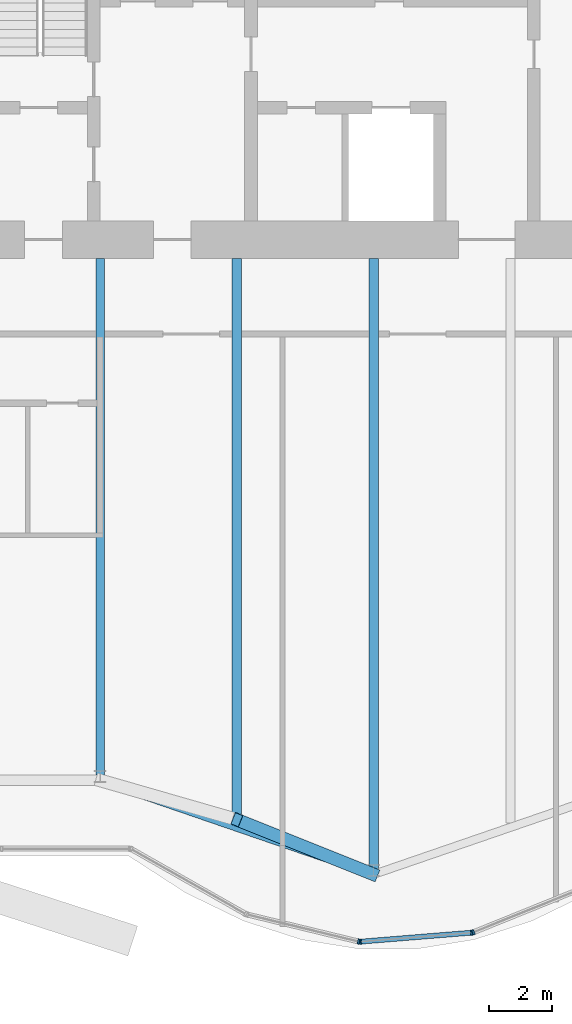
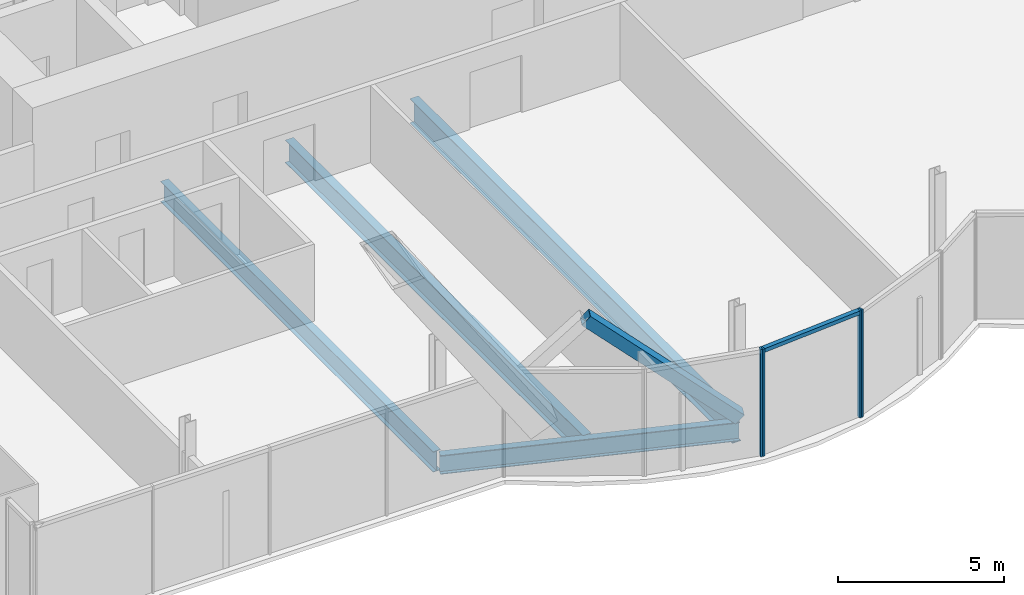
# One storey, part 8 of 24: 6 members, 4 beams, 1 element without a shape of its own.
"""IFC4 building model written with IfcOpenShell, lengths in metres."""

import ifcopenshell
import ifcopenshell.guid

model = None  # the IFC model being written
_history = None  # IfcOwnerHistory: only IFC2X3 demands one
_inside = {}  # id of a spatial element -> (the spatial element, [elements in it])
_under = {}  # id of a project, library or spatial element -> (it, [spatial elements below it])
_declared = {}  # id of a project -> (the project, [libraries it declares])
_typed = {}  # id of a type object -> (the type object, [elements of that type])
_made_of = {}  # id of a material, layer set ... -> (it, [elements and type objects made of it])


def new_model(schema):
    """Start an empty IFC model of exactly this schema.

    Asked for "IFC4X3", IfcOpenShell would pick the latest addendum, in which some entities
    have other attributes; the version numbers below select the first issue.
    IFC2X3 requires an IfcOwnerHistory on every rooted entity: one is made here for all.
    """
    global model, _history
    if schema == "IFC4X3":
        model = ifcopenshell.file(schema_version=(4, 3, 0, 0))
    else:
        model = ifcopenshell.file(schema=schema)
    _inside.clear()
    _under.clear()
    _declared.clear()
    _typed.clear()
    _made_of.clear()
    _history = None
    if model.schema == "IFC2X3":
        org = make("IfcOrganization", Name="unknown")
        user = make(
            "IfcPersonAndOrganization",
            ThePerson=make("IfcPerson", FamilyName="unknown"),
            TheOrganization=org,
        )
        app = make(
            "IfcApplication",
            ApplicationDeveloper=org,
            Version="unknown",
            ApplicationFullName="unknown",
            ApplicationIdentifier="unknown",
        )
        _history = make(
            "IfcOwnerHistory",
            OwningUser=user,
            OwningApplication=app,
            ChangeAction="ADDED",
            CreationDate=0,
        )
    return model


def make(cls, **values):
    """One entity of the class cls with the attributes given. An attribute that is None is left unset."""
    return model.create_entity(
        cls, **{name: value for name, value in values.items() if value is not None}
    )


def rooted(cls, **values):
    """An entity with a GlobalId (a new one), such as an element, a storey or a relation."""
    return make(cls, GlobalId=ifcopenshell.guid.new(), OwnerHistory=_history, **values)


def si_unit(unit_type, name, prefix=None):
    """IfcSIUnit, for example si_unit("LENGTHUNIT", "METRE", prefix="MILLI")."""
    return make("IfcSIUnit", UnitType=unit_type, Prefix=prefix, Name=name)


def assignment(units):
    """IfcUnitAssignment: the units of a project."""
    return None if units is None else make("IfcUnitAssignment", Units=units)


def point(xyz):
    """IfcCartesianPoint."""
    return None if xyz is None else make("IfcCartesianPoint", Coordinates=xyz)


def direction(xyz):
    """IfcDirection."""
    return None if xyz is None else make("IfcDirection", DirectionRatios=xyz)


def frame(location, z_axis=None, x_axis=None):
    """IfcAxis2Placement3D, a coordinate frame: its origin and axes. An axis left out is left unset."""
    return make(
        "IfcAxis2Placement3D",
        Location=point(location),
        Axis=direction(z_axis),
        RefDirection=direction(x_axis),
    )


def frame_2d(location, x_axis=None):
    """IfcAxis2Placement2D, a coordinate frame in the plane: its origin and x axis."""
    return make(
        "IfcAxis2Placement2D", Location=point(location), RefDirection=direction(x_axis)
    )


def origin():
    """The frame at (0, 0, 0) with its axes left unset."""
    return frame((0.0, 0.0, 0.0))


def origin_2d():
    """The frame at (0, 0) in the plane with its x axis left unset."""
    return frame_2d((0.0, 0.0))


def place(relative_to, where):
    """IfcLocalPlacement: puts the frame where relative to a parent placement (None: the world)."""
    return make(
        "IfcLocalPlacement", PlacementRelTo=relative_to, RelativePlacement=where
    )


def context(
    kind, dimensions, precision=None, world=None, true_north=None, identifier=None
):
    """IfcGeometricRepresentationContext, for example the 3D "Model" context."""
    return make(
        "IfcGeometricRepresentationContext",
        ContextIdentifier=identifier,
        ContextType=kind,
        CoordinateSpaceDimension=dimensions,
        Precision=precision,
        WorldCoordinateSystem=world,
        TrueNorth=true_north,
    )


def subcontext(parent, identifier, kind, view, scale=None):
    """IfcGeometricRepresentationSubContext, for example "Body" below "Model"."""
    return make(
        "IfcGeometricRepresentationSubContext",
        ContextIdentifier=identifier,
        ContextType=kind,
        ParentContext=parent,
        TargetScale=scale,
        TargetView=view,
    )


def project(units=None, contexts=None):
    """IfcProject with its units and contexts."""
    return rooted(
        "IfcProject",
        Name="project",
        RepresentationContexts=contexts,
        UnitsInContext=assignment(units),
    )


def spatial(cls, under=None, at=None, **own):
    """A site, building, storey or space (cls), placed at a placement, below another one or the project."""
    s = rooted(cls, ObjectPlacement=at, **own)
    if under is not None:
        _under.setdefault(under.id(), (under, []))[1].append(s)
    return s


def profile(cls, at=None, kind="AREA", **sizes):
    """A parametric profile (cls). Its sizes go by their IFC names, for example OverallWidth=200.0."""
    return make(cls, ProfileType=kind, Position=at, **sizes)


def rectangle(**sizes):
    """IfcRectangleProfileDef."""
    return profile("IfcRectangleProfileDef", **sizes)


def hollow_rectangle(**sizes):
    """IfcRectangleHollowProfileDef."""
    return profile("IfcRectangleHollowProfileDef", **sizes)


def i_section(**sizes):
    """IfcIShapeProfileDef."""
    return profile("IfcIShapeProfileDef", **sizes)


def extrude(swept, where, along, depth):
    """IfcExtrudedAreaSolid: the profile swept, set in the frame where, extruded along a direction by depth."""
    return make(
        "IfcExtrudedAreaSolid",
        SweptArea=swept,
        Position=where,
        ExtrudedDirection=direction(along),
        Depth=depth,
    )


def shape(context_of_items, identifier, shape_type, items):
    """IfcShapeRepresentation: the items that make up one representation, for example the "Body"."""
    return make(
        "IfcShapeRepresentation",
        ContextOfItems=context_of_items,
        RepresentationIdentifier=identifier,
        RepresentationType=shape_type,
        Items=items,
    )


def material(Name=None, Category=None):
    """IfcMaterial."""
    return make("IfcMaterial", Name=Name, Category=Category)


def material_profile(
    of_material, cross_section, Name=None, Category=None, Priority=None
):
    """IfcMaterialProfile: a cross section and its material."""
    return make(
        "IfcMaterialProfile",
        Name=Name,
        Material=of_material,
        Profile=cross_section,
        Priority=Priority,
        Category=Category,
    )


def profile_set(profiles, Name=None, composite=None):
    """IfcMaterialProfileSet."""
    return make(
        "IfcMaterialProfileSet",
        Name=Name,
        MaterialProfiles=profiles,
        CompositeProfile=composite,
    )


def made_of(thing, what):
    """Note that an element or type object is made of a material, layer set ...; save() writes the relation."""
    if what is not None:
        _made_of.setdefault(what.id(), (what, []))[1].append(thing)
    return thing


def type_object(cls, material=None, **own):
    """A type object (cls), such as IfcWallType, which elements share."""
    return made_of(rooted(cls, **own), material)


def element(
    cls,
    number,
    at=None,
    inside=None,
    cuts=None,
    type_object=None,
    material=None,
    context=None,
    identifier="Body",
    shape_type=None,
    held_by="IfcProductDefinitionShape",
    body=None,
    shapes=None,
    **own,
):
    """One element of the class cls, such as IfcWall. Its Tag is "e" and its number.

    at: its placement. inside: the storey or other place that contains it. cuts: it is an
    opening in that element (IfcRelVoidsElement). A single representation is given by context,
    identifier, shape_type and body (its items); several are given by shapes. held_by: the class
    of the entity that holds the representations. save() writes the other relations.
    """
    e = rooted(cls, Tag="e%d" % number, ObjectPlacement=at, **own)
    if body is not None:
        shapes = [shape(context, identifier, shape_type, body)]
    if shapes is not None:
        e.Representation = make(held_by, Representations=shapes)
    if inside is not None:
        _inside.setdefault(inside.id(), (inside, []))[1].append(e)
    if cuts is not None:
        rooted(
            "IfcRelVoidsElement", RelatingBuildingElement=cuts, RelatedOpeningElement=e
        )
    if type_object is not None:
        _typed.setdefault(type_object.id(), (type_object, []))[1].append(e)
    return made_of(e, material)


def aggregate(whole, parts):
    """IfcRelAggregates: a whole, such as a stair, and the parts it consists of."""
    return rooted("IfcRelAggregates", RelatingObject=whole, RelatedObjects=parts)


def save(model, path):
    """Write the relations noted so far, then the file.

    IfcRelAggregates (storeys below a building ...), IfcRelContainedInSpatialStructure (elements
    in a storey), IfcRelDefinesByType, IfcRelAssociatesMaterial and IfcRelDeclares: one each for
    every whole, place, type object, material and project.
    """
    for whole, parts in _under.values():
        aggregate(whole, parts)
    for where, things in _inside.values():
        rooted(
            "IfcRelContainedInSpatialStructure",
            RelatedElements=things,
            RelatingStructure=where,
        )
    for kind, things in _typed.values():
        rooted("IfcRelDefinesByType", RelatedObjects=things, RelatingType=kind)
    for what, things in _made_of.values():
        rooted("IfcRelAssociatesMaterial", RelatedObjects=things, RelatingMaterial=what)
    for by, libraries in _declared.values():
        rooted("IfcRelDeclares", RelatingContext=by, RelatedDefinitions=libraries)
    model.write(path)


model = new_model("IFC4")

# Units and contexts
model_context = context("Model", 3, precision=1e-05, world=origin(), true_north=direction((0.0, 1.0)))
body_context = subcontext(model_context, "Body", "Model", "MODEL_VIEW")
ifc_project = project(units=[si_unit("LENGTHUNIT", "METRE"), si_unit("AREAUNIT", "SQUARE_METRE"), si_unit("VOLUMEUNIT", "CUBIC_METRE"), si_unit("PLANEANGLEUNIT", "RADIAN"), si_unit("MASSUNIT", "GRAM", prefix="KILO")], contexts=[model_context])

# Site, building, storey
site_placement = place(None, origin())
site = spatial("IfcSite", under=ifc_project, at=site_placement, CompositionType="ELEMENT")
building_placement = place(site_placement, origin())
building = spatial("IfcBuilding", under=site, at=building_placement, Name="Bicima Exchange Tower", CompositionType="ELEMENT")
storey_placement = place(building_placement, frame((0.0, 0.0, 211.39990234375)))
storey = spatial("IfcBuildingStorey", under=building, at=storey_placement, Name="L47", CompositionType="ELEMENT", Elevation=211.39990234375)

# Beams
ifc_material_1 = material(Name="Steel ASTM A992 Gr 50", Category="steel")
ifc_material_profile_1 = material_profile(ifc_material_1, i_section(OverallWidth=0.2666015625, OverallDepth=0.75439453125, WebThickness=0.01318359375, FlangeThickness=0.01708984375, at=origin_2d()))
ifc_profile_set_1 = profile_set([ifc_material_profile_1], Name="Steel ASTM A992 Gr 50")
beam_type_1 = type_object("IfcBeamType", Name="Floor beam W30x99", PredefinedType="JOIST", material=ifc_profile_set_1)
beam_1_placement = place(storey_placement, frame((-17.39990234375, -13.0, -0.527099609375), z_axis=(0.0, -1.0, 0.0), x_axis=(1.0, 0.0, 0.0)))
element("IfcBeam", 1, at=beam_1_placement, inside=storey, type_object=beam_type_1, Name="Floor beam", PredefinedType="JOIST", context=body_context, shape_type="SweptSolid", body=[
    extrude(i_section(OverallWidth=0.2666015625, OverallDepth=0.75439453125, WebThickness=0.01318359375, FlangeThickness=0.01708984375, at=origin_2d()), origin(), (0.0, 0.0, 1.0), 16.433349609375),
])
ifc_material_profile_2 = material_profile(ifc_material_1, i_section(OverallWidth=0.2919921875, OverallDepth=0.835693359375, WebThickness=0.013916015625, FlangeThickness=0.018798828125, at=origin_2d()))
ifc_profile_set_2 = profile_set([ifc_material_profile_2], Name="Steel ASTM A992 Gr 50")
beam_type_2 = type_object("IfcBeamType", Name="Floor beam W33x118", PredefinedType="JOIST", material=ifc_profile_set_2)
beam_2_placement = place(storey_placement, frame((-13.050048828125, -13.0, -0.567626953125), z_axis=(0.0, -1.0, 0.0), x_axis=(1.0, 0.0, 0.0)))
element("IfcBeam", 2, at=beam_2_placement, inside=storey, type_object=beam_type_2, Name="Floor beam", PredefinedType="JOIST", context=body_context, shape_type="SweptSolid", body=[
    extrude(i_section(OverallWidth=0.2919921875, OverallDepth=0.835693359375, WebThickness=0.013916015625, FlangeThickness=0.018798828125, at=origin_2d()), origin(), (0.0, 0.0, 1.0), 17.955810546875),
])
ifc_material_profile_3 = material_profile(ifc_material_1, i_section(OverallWidth=0.3046875, OverallDepth=0.904296875, WebThickness=0.01513671875, FlangeThickness=0.02001953125, at=origin_2d()))
ifc_profile_set_3 = profile_set([ifc_material_profile_3], Name="Steel ASTM A992 Gr 50")
beam_type_3 = type_object("IfcBeamType", Name="Floor beam W36x135", PredefinedType="JOIST", material=ifc_profile_set_3)
beam_3_placement = place(storey_placement, frame((-8.699951171875, -13.0, -0.60205078125), z_axis=(0.0, -1.0, 0.0), x_axis=(1.0, 0.0, 0.0)))
element("IfcBeam", 3, at=beam_3_placement, inside=storey, type_object=beam_type_3, Name="Floor beam", PredefinedType="JOIST", context=body_context, shape_type="SweptSolid", body=[
    extrude(i_section(OverallWidth=0.3046875, OverallDepth=0.904296875, WebThickness=0.01513671875, FlangeThickness=0.02001953125, at=origin_2d()), origin(), (0.0, 0.0, 1.0), 19.451416015625),
])
ifc_material_profile_4 = material_profile(ifc_material_1, i_section(OverallWidth=0.256591796875, OverallDepth=0.693359375, WebThickness=0.014404296875, FlangeThickness=0.023681640625, at=origin_2d()))
ifc_profile_set_4 = profile_set([ifc_material_profile_4], Name="Steel ASTM A992 Gr 50")
beam_type_4 = type_object("IfcBeamType", Name="Front girder W27x114", PredefinedType="BEAM", material=ifc_profile_set_4)
beam_4_placement = place(storey_placement, frame((-17.39990234375, -29.595947265625, -0.49658203125), z_axis=(0.945666456746, -0.325138359143, 0.0), x_axis=(0.325138359143, 0.945666456746, 0.0)))
element("IfcBeam", 4, at=beam_4_placement, inside=storey, type_object=beam_type_4, Name="Front girder", PredefinedType="BEAM", context=body_context, shape_type="SweptSolid", body=[
    extrude(i_section(OverallWidth=0.256591796875, OverallDepth=0.693359375, WebThickness=0.014404296875, FlangeThickness=0.023681640625, at=origin_2d()), origin(), (0.0, 0.0, 1.0), 9.19970703125),
])

# Curtain wall, members
ifc_material_2 = material(Name="Anodised bronze aluminium", Category="aluminium")
curtain_wall_type = type_object("IfcCurtainWallType", Name="Front glass wall", PredefinedType="NOTDEFINED", material=ifc_material_2)
curtain_wall_placement = place(storey_placement, origin())
curtain_wall = element("IfcCurtainWall", 5, at=curtain_wall_placement, inside=storey, type_object=curtain_wall_type, Name="Front glass wall L47 run 6", PredefinedType="NOTDEFINED")
ifc_material_profile_5 = material_profile(ifc_material_2, rectangle(XDim=0.159912109375, YDim=0.06005859375, at=origin_2d()))
ifc_profile_set_5 = profile_set([ifc_material_profile_5], Name="Anodised bronze aluminium")
member_type_1 = type_object("IfcMemberType", Name="Front glass wall mullion 60 x 160", PredefinedType="MULLION", material=ifc_profile_set_5)
member_1_placement = place(storey_placement, frame((-9.177490234375, -34.721923828125, 0.0), z_axis=(0.0, 0.0, 1.0), x_axis=(0.235681529503, 0.971830343553, 0.0)))
member_1 = element("IfcMember", 6, at=member_1_placement, type_object=member_type_1, Name="Front glass wall mullion 2", PredefinedType="MULLION", context=body_context, shape_type="SweptSolid", body=[
    extrude(rectangle(XDim=0.159912109375, YDim=0.06005859375, at=origin_2d()), origin(), (0.0, 0.0, 1.0), 3.9501953125),
])
member_2_placement = place(storey_placement, frame((-9.118408203125, -34.7265625, 0.0), z_axis=(0.0, 0.0, 1.0), x_axis=(-0.080588612633, 0.99674744821, 0.0)))
member_2 = element("IfcMember", 7, at=member_2_placement, type_object=member_type_1, Name="Front glass wall mullion 1", PredefinedType="MULLION", context=body_context, shape_type="SweptSolid", body=[
    extrude(rectangle(XDim=0.159912109375, YDim=0.06005859375, at=origin_2d()), origin(), (0.0, 0.0, 1.0), 3.9501953125),
])
member_3_placement = place(storey_placement, frame((-5.583984375, -34.44091796875, 0.0), z_axis=(0.0, 0.0, 1.0), x_axis=(-0.080588612633, 0.99674744821, 0.0)))
member_3 = element("IfcMember", 8, at=member_3_placement, type_object=member_type_1, Name="Front glass wall mullion 2", PredefinedType="MULLION", context=body_context, shape_type="SweptSolid", body=[
    extrude(rectangle(XDim=0.159912109375, YDim=0.06005859375, at=origin_2d()), origin(), (0.0, 0.0, 1.0), 3.9501953125),
])
member_4_placement = place(storey_placement, frame((-5.526123046875, -34.42724609375, 0.0), z_axis=(0.0, 0.0, 1.0), x_axis=(-0.374705304, 0.92714396679, 0.0)))
member_4 = element("IfcMember", 9, at=member_4_placement, type_object=member_type_1, Name="Front glass wall mullion 1", PredefinedType="MULLION", context=body_context, shape_type="SweptSolid", body=[
    extrude(rectangle(XDim=0.159912109375, YDim=0.06005859375, at=origin_2d()), origin(), (0.0, 0.0, 1.0), 3.9501953125),
])
ifc_material_profile_6 = material_profile(ifc_material_2, rectangle(XDim=0.159912109375, YDim=0.139892578125, at=origin_2d()))
ifc_profile_set_6 = profile_set([ifc_material_profile_6], Name="Anodised bronze aluminium")
member_type_2 = type_object("IfcMemberType", Name="Front glass wall transom 140 x 160", PredefinedType="USERDEFINED", material=ifc_profile_set_6)
member_5_placement = place(storey_placement, frame((-9.08837890625, -34.72412109375, 3.880126953125), z_axis=(0.9967456465, 0.080610893699, 0.0), x_axis=(-0.080610893699, 0.9967456465, 0.0)))
member_5 = element("IfcMember", 10, at=member_5_placement, type_object=member_type_2, Name="Front glass wall transom 1.1", ObjectType="TRANSOM", PredefinedType="USERDEFINED", context=body_context, shape_type="SweptSolid", body=[
    extrude(rectangle(XDim=0.159912109375, YDim=0.139892578125, at=origin_2d()), origin(), (0.0, 0.0, 1.0), 3.48583984375),
])
aggregate(curtain_wall, [member_1, member_2, member_3, member_5, member_4])

# Member
ifc_material_3 = material(Name="Steel ASTM A572 Gr 50", Category="steel")
ifc_material_profile_7 = material_profile(ifc_material_3, hollow_rectangle(XDim=0.406494140625, YDim=0.406494140625, WallThickness=0.0146484375, at=origin_2d()))
ifc_profile_set_7 = profile_set([ifc_material_profile_7], Name="Steel ASTM A572 Gr 50")
member_type_3 = type_object("IfcMemberType", Name="Mega brace HSS16x16x5/8", PredefinedType="BRACE", material=ifc_profile_set_7)
member_6_placement = place(storey_placement, frame((-8.699951171875, -32.587158203125, 0.0), z_axis=(-0.698718538106, 0.279440358208, 0.65856320176), x_axis=(-0.3713367687, -0.928498252132, 0.0)))
element("IfcMember", 11, at=member_6_placement, inside=storey, type_object=member_type_3, Name="Mega brace front", PredefinedType="BRACE", context=body_context, shape_type="SweptSolid", body=[
    extrude(hollow_rectangle(XDim=0.406494140625, YDim=0.406494140625, WallThickness=0.0146484375, at=origin_2d()), origin(), (0.0, 0.0, 1.0), 6.225830078125),
])

save(model, "model.ifc")
